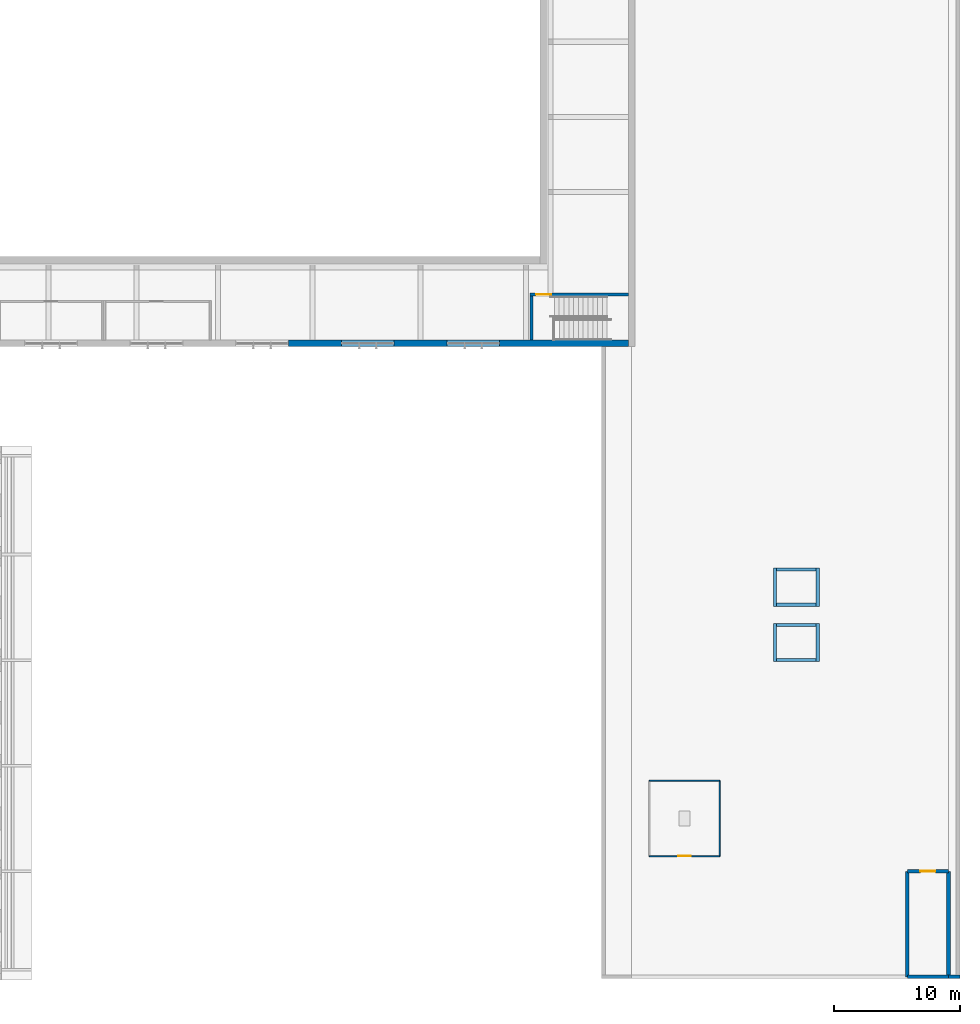
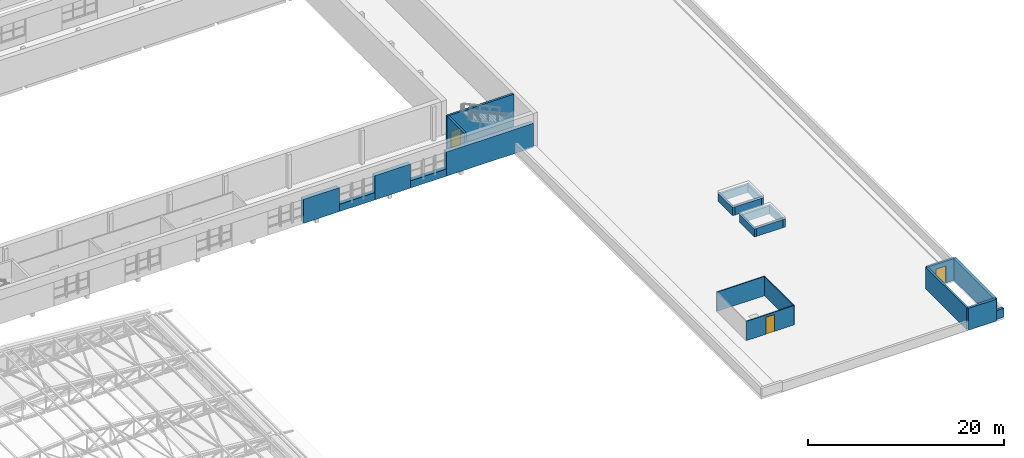
# One storey, part 41 of 60: 23 walls, 3 doors, 3 openings.
"""IFC4 building model written with IfcOpenShell, lengths in metres."""

import ifcopenshell
import ifcopenshell.guid

model = None  # the IFC model being written
_history = None  # IfcOwnerHistory: only IFC2X3 demands one
_inside = {}  # id of a spatial element -> (the spatial element, [elements in it])
_under = {}  # id of a project, library or spatial element -> (it, [spatial elements below it])
_declared = {}  # id of a project -> (the project, [libraries it declares])
_typed = {}  # id of a type object -> (the type object, [elements of that type])
_made_of = {}  # id of a material, layer set ... -> (it, [elements and type objects made of it])


def new_model(schema):
    """Start an empty IFC model of exactly this schema.

    Asked for "IFC4X3", IfcOpenShell would pick the latest addendum, in which some entities
    have other attributes; the version numbers below select the first issue.
    IFC2X3 requires an IfcOwnerHistory on every rooted entity: one is made here for all.
    """
    global model, _history
    if schema == "IFC4X3":
        model = ifcopenshell.file(schema_version=(4, 3, 0, 0))
    else:
        model = ifcopenshell.file(schema=schema)
    _inside.clear()
    _under.clear()
    _declared.clear()
    _typed.clear()
    _made_of.clear()
    _history = None
    if model.schema == "IFC2X3":
        org = make("IfcOrganization", Name="unknown")
        user = make(
            "IfcPersonAndOrganization",
            ThePerson=make("IfcPerson", FamilyName="unknown"),
            TheOrganization=org,
        )
        app = make(
            "IfcApplication",
            ApplicationDeveloper=org,
            Version="unknown",
            ApplicationFullName="unknown",
            ApplicationIdentifier="unknown",
        )
        _history = make(
            "IfcOwnerHistory",
            OwningUser=user,
            OwningApplication=app,
            ChangeAction="ADDED",
            CreationDate=0,
        )
    return model


def make(cls, **values):
    """One entity of the class cls with the attributes given. An attribute that is None is left unset."""
    return model.create_entity(
        cls, **{name: value for name, value in values.items() if value is not None}
    )


def rooted(cls, **values):
    """An entity with a GlobalId (a new one), such as an element, a storey or a relation."""
    return make(cls, GlobalId=ifcopenshell.guid.new(), OwnerHistory=_history, **values)


def si_unit(unit_type, name, prefix=None):
    """IfcSIUnit, for example si_unit("LENGTHUNIT", "METRE", prefix="MILLI")."""
    return make("IfcSIUnit", UnitType=unit_type, Prefix=prefix, Name=name)


def assignment(units):
    """IfcUnitAssignment: the units of a project."""
    return None if units is None else make("IfcUnitAssignment", Units=units)


def point(xyz):
    """IfcCartesianPoint."""
    return None if xyz is None else make("IfcCartesianPoint", Coordinates=xyz)


def direction(xyz):
    """IfcDirection."""
    return None if xyz is None else make("IfcDirection", DirectionRatios=xyz)


def frame(location, z_axis=None, x_axis=None):
    """IfcAxis2Placement3D, a coordinate frame: its origin and axes. An axis left out is left unset."""
    return make(
        "IfcAxis2Placement3D",
        Location=point(location),
        Axis=direction(z_axis),
        RefDirection=direction(x_axis),
    )


def frame_2d(location, x_axis=None):
    """IfcAxis2Placement2D, a coordinate frame in the plane: its origin and x axis."""
    return make(
        "IfcAxis2Placement2D", Location=point(location), RefDirection=direction(x_axis)
    )


def origin():
    """The frame at (0, 0, 0) with its axes left unset."""
    return frame((0.0, 0.0, 0.0))


def place(relative_to, where):
    """IfcLocalPlacement: puts the frame where relative to a parent placement (None: the world)."""
    return make(
        "IfcLocalPlacement", PlacementRelTo=relative_to, RelativePlacement=where
    )


def context(
    kind, dimensions, precision=None, world=None, true_north=None, identifier=None
):
    """IfcGeometricRepresentationContext, for example the 3D "Model" context."""
    return make(
        "IfcGeometricRepresentationContext",
        ContextIdentifier=identifier,
        ContextType=kind,
        CoordinateSpaceDimension=dimensions,
        Precision=precision,
        WorldCoordinateSystem=world,
        TrueNorth=true_north,
    )


def subcontext(parent, identifier, kind, view, scale=None):
    """IfcGeometricRepresentationSubContext, for example "Body" below "Model"."""
    return make(
        "IfcGeometricRepresentationSubContext",
        ContextIdentifier=identifier,
        ContextType=kind,
        ParentContext=parent,
        TargetScale=scale,
        TargetView=view,
    )


def project(units=None, contexts=None):
    """IfcProject with its units and contexts."""
    return rooted(
        "IfcProject",
        Name="project",
        RepresentationContexts=contexts,
        UnitsInContext=assignment(units),
    )


def spatial(cls, under=None, at=None, **own):
    """A site, building, storey or space (cls), placed at a placement, below another one or the project."""
    s = rooted(cls, ObjectPlacement=at, **own)
    if under is not None:
        _under.setdefault(under.id(), (under, []))[1].append(s)
    return s


def profile(cls, at=None, kind="AREA", **sizes):
    """A parametric profile (cls). Its sizes go by their IFC names, for example OverallWidth=200.0."""
    return make(cls, ProfileType=kind, Position=at, **sizes)


def rectangle(**sizes):
    """IfcRectangleProfileDef."""
    return profile("IfcRectangleProfileDef", **sizes)


def extrude(swept, where, along, depth):
    """IfcExtrudedAreaSolid: the profile swept, set in the frame where, extruded along a direction by depth."""
    return make(
        "IfcExtrudedAreaSolid",
        SweptArea=swept,
        Position=where,
        ExtrudedDirection=direction(along),
        Depth=depth,
    )


def shape(context_of_items, identifier, shape_type, items):
    """IfcShapeRepresentation: the items that make up one representation, for example the "Body"."""
    return make(
        "IfcShapeRepresentation",
        ContextOfItems=context_of_items,
        RepresentationIdentifier=identifier,
        RepresentationType=shape_type,
        Items=items,
    )


def material(Name=None, Category=None):
    """IfcMaterial."""
    return make("IfcMaterial", Name=Name, Category=Category)


def layer(
    of_material, thickness, ventilated=None, Name=None, Category=None, Priority=None
):
    """IfcMaterialLayer: one layer of a wall or slab, of a material (None: an air gap)."""
    return make(
        "IfcMaterialLayer",
        Material=of_material,
        LayerThickness=thickness,
        IsVentilated=ventilated,
        Name=Name,
        Category=Category,
        Priority=Priority,
    )


def layer_set(layers, Name=None):
    """IfcMaterialLayerSet."""
    return make("IfcMaterialLayerSet", MaterialLayers=layers, LayerSetName=Name)


def made_of(thing, what):
    """Note that an element or type object is made of a material, layer set ...; save() writes the relation."""
    if what is not None:
        _made_of.setdefault(what.id(), (what, []))[1].append(thing)
    return thing


def type_object(cls, material=None, **own):
    """A type object (cls), such as IfcWallType, which elements share."""
    return made_of(rooted(cls, **own), material)


def element(
    cls,
    number,
    at=None,
    inside=None,
    cuts=None,
    type_object=None,
    material=None,
    context=None,
    identifier="Body",
    shape_type=None,
    held_by="IfcProductDefinitionShape",
    body=None,
    shapes=None,
    **own,
):
    """One element of the class cls, such as IfcWall. Its Tag is "e" and its number.

    at: its placement. inside: the storey or other place that contains it. cuts: it is an
    opening in that element (IfcRelVoidsElement). A single representation is given by context,
    identifier, shape_type and body (its items); several are given by shapes. held_by: the class
    of the entity that holds the representations. save() writes the other relations.
    """
    e = rooted(cls, Tag="e%d" % number, ObjectPlacement=at, **own)
    if body is not None:
        shapes = [shape(context, identifier, shape_type, body)]
    if shapes is not None:
        e.Representation = make(held_by, Representations=shapes)
    if inside is not None:
        _inside.setdefault(inside.id(), (inside, []))[1].append(e)
    if cuts is not None:
        rooted(
            "IfcRelVoidsElement", RelatingBuildingElement=cuts, RelatedOpeningElement=e
        )
    if type_object is not None:
        _typed.setdefault(type_object.id(), (type_object, []))[1].append(e)
    return made_of(e, material)


def fill(opening, filler):
    """IfcRelFillsElement: the door or window that sits in an opening."""
    return rooted(
        "IfcRelFillsElement",
        RelatingOpeningElement=opening,
        RelatedBuildingElement=filler,
    )


def aggregate(whole, parts):
    """IfcRelAggregates: a whole, such as a stair, and the parts it consists of."""
    return rooted("IfcRelAggregates", RelatingObject=whole, RelatedObjects=parts)


def save(model, path):
    """Write the relations noted so far, then the file.

    IfcRelAggregates (storeys below a building ...), IfcRelContainedInSpatialStructure (elements
    in a storey), IfcRelDefinesByType, IfcRelAssociatesMaterial and IfcRelDeclares: one each for
    every whole, place, type object, material and project.
    """
    for whole, parts in _under.values():
        aggregate(whole, parts)
    for where, things in _inside.values():
        rooted(
            "IfcRelContainedInSpatialStructure",
            RelatedElements=things,
            RelatingStructure=where,
        )
    for kind, things in _typed.values():
        rooted("IfcRelDefinesByType", RelatedObjects=things, RelatingType=kind)
    for what, things in _made_of.values():
        rooted("IfcRelAssociatesMaterial", RelatedObjects=things, RelatingMaterial=what)
    for by, libraries in _declared.values():
        rooted("IfcRelDeclares", RelatingContext=by, RelatedDefinitions=libraries)
    model.write(path)


model = new_model("IFC4")

# Units and contexts
model_context = context("Model", 3, precision=1e-05, world=origin(), true_north=direction((0.0, 1.0)))
body_context = subcontext(model_context, "Body", "Model", "MODEL_VIEW")
ifc_project = project(units=[si_unit("LENGTHUNIT", "METRE"), si_unit("AREAUNIT", "SQUARE_METRE"), si_unit("VOLUMEUNIT", "CUBIC_METRE"), si_unit("PLANEANGLEUNIT", "RADIAN"), si_unit("MASSUNIT", "GRAM", prefix="KILO")], contexts=[model_context])

# Site, building, storey
site_placement = place(None, origin())
site = spatial("IfcSite", under=ifc_project, at=site_placement, CompositionType="ELEMENT")
building_placement = place(site_placement, origin())
building = spatial("IfcBuilding", under=site, at=building_placement, Name="Ljudholm Concert House", CompositionType="ELEMENT")
storey_placement = place(building_placement, frame((0.0, 0.0, 15.0)))
storey = spatial("IfcBuildingStorey", under=building, at=storey_placement, Name="L03", CompositionType="ELEMENT", Elevation=15.0)

# Wall
ifc_material_1 = material(Name="Precast concrete 5,000 psi", Category="concrete")
ifc_layer_1 = layer(ifc_material_1, 0.300048828125)
ifc_layer_set_1 = layer_set([ifc_layer_1], Name="Precast concrete 5,000 psi")
wall_type_1 = type_object("IfcWallType", Name="PARAPET 300", PredefinedType="PARAPET", material=ifc_layer_set_1)
wall_1_placement = place(storey_placement, frame((121.60009765625, 4.0, 0.169921875), z_axis=(0.0, 0.0, 1.0), x_axis=(1.0, 0.0, 0.0)))
element("IfcWall", 1, at=wall_1_placement, inside=storey, type_object=wall_type_1, Name="Parapet", PredefinedType="PARAPET", context=body_context, shape_type="SweptSolid", body=[
    extrude(rectangle(XDim=0.89990234375, YDim=0.300048828125, at=frame_2d((0.449951171875, 0.0))), origin(), (0.0, 0.0, 1.0), 1.10009765625),
])

# Wall, opening, door
ifc_material_2 = material(Name="Concrete 6,500 psi", Category="concrete")
ifc_layer_2 = layer(ifc_material_2, 0.25)
ifc_layer_set_2 = layer_set([ifc_layer_2], Name="Concrete 6,500 psi")
wall_type_2 = type_object("IfcWallType", Name="RC CORE WALL 250 EXTERNAL", PredefinedType="SHEAR", material=ifc_layer_set_2)
wall_2_placement = place(storey_placement, frame((118.324951171875, 12.39990234375, 0.0), z_axis=(0.0, 0.0, 1.0), x_axis=(1.0, 0.0, 0.0)))
wall_2 = element("IfcWall", 2, at=wall_2_placement, inside=storey, type_object=wall_type_2, Name="Stair head-house wall", PredefinedType="SHEAR", context=body_context, shape_type="SweptSolid", body=[
    extrude(rectangle(XDim=3.275146484375, YDim=0.25, at=frame_2d((1.6376953125, 0.0))), origin(), (0.0, 0.0, 1.0), 2.699951171875),
])
opening_1_placement = place(wall_2_placement, frame((1.03759765625, 0.0, 0.0)))
opening_1 = element("IfcOpeningElement", 3, at=opening_1_placement, cuts=wall_2, Name="Opening D-W03-001", PredefinedType="OPENING", context=body_context, shape_type="SweptSolid", body=[
    extrude(rectangle(XDim=1.199951171875, YDim=2.10009765625, at=frame_2d((0.60009765625, 1.050048828125))), frame((0.0, 0.135009765625, 0.0), z_axis=(0.0, -1.0, 0.0), x_axis=(1.0, 0.0, 0.0)), (0.0, 0.0, 1.0), 0.27001953125),
])
ifc_material_3 = material(Name="Hollow metal door in steel frame", Category="steel")
door_type_1 = type_object("IfcDoorType", Name="SWING DOOR 1200x2100 EXTERNAL", OperationType="SINGLE_SWING_LEFT", PredefinedType="DOOR", material=ifc_material_3)
door_1_placement = place(opening_1_placement, origin())
door_1 = element("IfcDoor", 4, at=door_1_placement, inside=storey, type_object=door_type_1, Name="Stair roof door", OperationType="SINGLE_SWING_RIGHT", OverallHeight=2.10009765625, OverallWidth=1.199951171875, PredefinedType="DOOR", context=body_context, shape_type="SweptSolid", body=[
    extrude(rectangle(XDim=1.199951171875, YDim=2.10009765625, at=frame_2d((0.60009765625, 1.050048828125))), frame((0.0, 0.02490234375, 0.0), z_axis=(0.0, -1.0, 0.0), x_axis=(1.0, 0.0, 0.0)), (0.0, 0.0, 1.0), 0.050048828125),
])
fill(opening_1, door_1)

# Walls
wall_3_placement = place(storey_placement, frame((118.324951171875, 4.0, 0.0), z_axis=(0.0, 0.0, 1.0), x_axis=(0.0, 1.0, 0.0)))
element("IfcWall", 5, at=wall_3_placement, inside=storey, type_object=wall_type_2, Name="Stair head-house wall", PredefinedType="SHEAR", context=body_context, shape_type="SweptSolid", body=[
    extrude(rectangle(XDim=8.39990234375, YDim=0.25, at=frame_2d((4.199951171875, 0.0))), origin(), (0.0, 0.0, 1.0), 2.699951171875),
])
ifc_material_4 = material(Name="Concrete 6,500 psi", Category="concrete")
ifc_layer_3 = layer(ifc_material_4, 0.300048828125)
ifc_layer_set_3 = layer_set([ifc_layer_3], Name="Concrete 6,500 psi")
wall_type_3 = type_object("IfcWallType", Name="RC CORE WALL 300", PredefinedType="SHEAR", material=ifc_layer_set_3)
wall_4_placement = place(storey_placement, frame((118.324951171875, 4.0, 0.0), z_axis=(0.0, 0.0, 1.0), x_axis=(1.0, 0.0, 0.0)))
element("IfcWall", 6, at=wall_4_placement, inside=storey, type_object=wall_type_3, Name="Stair head-house wall", PredefinedType="SHEAR", context=body_context, shape_type="SweptSolid", body=[
    extrude(rectangle(XDim=3.275146484375, YDim=0.300048828125, at=frame_2d((1.6376953125, 0.0))), origin(), (0.0, 0.0, 1.0), 2.699951171875),
])
wall_5_placement = place(storey_placement, frame((121.60009765625, 4.0, 0.0), z_axis=(0.0, 0.0, 1.0), x_axis=(0.0, 1.0, 0.0)))
element("IfcWall", 7, at=wall_5_placement, inside=storey, type_object=wall_type_3, Name="Stair head-house wall", PredefinedType="SHEAR", context=body_context, shape_type="SweptSolid", body=[
    extrude(rectangle(XDim=8.39990234375, YDim=0.300048828125, at=frame_2d((4.199951171875, 0.0))), origin(), (0.0, 0.0, 1.0), 2.699951171875),
])

# Wall, opening, door
ifc_material_5 = material(Name="Concrete 6,500 psi", Category="concrete")
ifc_layer_4 = layer(ifc_material_5, 0.25)
ifc_layer_set_4 = layer_set([ifc_layer_4], Name="Concrete 6,500 psi")
wall_type_4 = type_object("IfcWallType", Name="RC WALL 250", PredefinedType="SOLIDWALL", material=ifc_layer_set_4)
wall_6_placement = place(storey_placement, frame((88.300048828125, 58.27490234375, 0.0), z_axis=(0.0, 0.0, 1.0), x_axis=(1.0, 0.0, 0.0)))
wall_6 = element("IfcWall", 8, at=wall_6_placement, inside=storey, type_object=wall_type_4, Name="Stair enclosure wall EH3", PredefinedType="SOLIDWALL", context=body_context, shape_type="SweptSolid", body=[
    extrude(rectangle(XDim=7.849853515625, YDim=0.25, at=frame_2d((3.9248046875, 0.0))), origin(), (0.0, 0.0, 1.0), 4.199951171875),
])
opening_2_placement = place(wall_6_placement, frame((0.5, 0.0, 0.0)))
opening_2 = element("IfcOpeningElement", 9, at=opening_2_placement, cuts=wall_6, Name="Opening D-H03-009", PredefinedType="OPENING", context=body_context, shape_type="SweptSolid", body=[
    extrude(rectangle(XDim=1.199951171875, YDim=2.10009765625, at=frame_2d((0.60009765625, 1.050048828125))), frame((0.0, 0.135009765625, 0.0), z_axis=(0.0, -1.0, 0.0), x_axis=(1.0, 0.0, 0.0)), (0.0, 0.0, 1.0), 0.27001953125),
])
ifc_material_6 = material(Name="Hollow metal door in steel frame", Category="steel")
door_type_2 = type_object("IfcDoorType", Name="SWING DOOR 1200x2100", OperationType="SINGLE_SWING_LEFT", PredefinedType="DOOR", material=ifc_material_6)
door_2_placement = place(opening_2_placement, frame((1.199951171875, 0.0, 0.0), z_axis=(0.0, 0.0, 1.0), x_axis=(-1.0, 0.0, 0.0)))
door_2 = element("IfcDoor", 10, at=door_2_placement, inside=storey, type_object=door_type_2, Name="Exit stair EH3 door", OperationType="SINGLE_SWING_RIGHT", OverallHeight=2.10009765625, OverallWidth=1.199951171875, PredefinedType="DOOR", context=body_context, shape_type="SweptSolid", body=[
    extrude(rectangle(XDim=1.199951171875, YDim=2.10009765625, at=frame_2d((0.60009765625, 1.050048828125))), frame((0.0, 0.02490234375, 0.0), z_axis=(0.0, -1.0, 0.0), x_axis=(1.0, 0.0, 0.0)), (0.0, 0.0, 1.0), 0.050048828125),
])
fill(opening_2, door_2)

# Walls
wall_7_placement = place(storey_placement, frame((88.425048828125, 54.64990234375, 0.0), z_axis=(0.0, 0.0, 1.0), x_axis=(0.0, 1.0, 0.0)))
element("IfcWall", 11, at=wall_7_placement, inside=storey, type_object=wall_type_4, Name="Stair enclosure wall EH3", PredefinedType="SOLIDWALL", context=body_context, shape_type="SweptSolid", body=[
    extrude(rectangle(XDim=3.5, YDim=0.25, at=frame_2d((1.75, 0.0))), origin(), (0.0, 0.0, 1.0), 4.199951171875),
])
for number, where, z_axis, x_axis, name in (
    (12, (107.800048828125, 29.074951171875, 0.0), (0.0, 0.0, 1.0), (0.0, 1.0, 0.0), "Lift shaft wall"),
    (13, (111.199951171875, 29.074951171875, 0.0), (0.0, 0.0, 1.0), (0.0, 1.0, 0.0), "Lift shaft wall"),
):
    element("IfcWall", number, at=place(storey_placement, frame(where, z_axis=z_axis, x_axis=x_axis)), inside=storey, type_object=wall_type_4, Name=name, PredefinedType="SOLIDWALL", context=body_context, shape_type="SweptSolid", body=[
        extrude(rectangle(XDim=3.050048828125, YDim=0.25, at=frame_2d((1.52490234375, 0.0))), origin(), (0.0, 0.0, 1.0), 1.0),
    ])
for number, where, z_axis, x_axis, name in (
    (14, (107.925048828125, 29.199951171875, 0.0), (0.0, 0.0, 1.0), (1.0, 0.0, 0.0), "Lift shaft wall"),
    (15, (107.925048828125, 32.0, 0.0), (0.0, 0.0, 1.0), (1.0, 0.0, 0.0), "Lift shaft wall"),
):
    element("IfcWall", number, at=place(storey_placement, frame(where, z_axis=z_axis, x_axis=x_axis)), inside=storey, type_object=wall_type_4, Name=name, PredefinedType="SOLIDWALL", context=body_context, shape_type="SweptSolid", body=[
        extrude(rectangle(XDim=3.14990234375, YDim=0.25, at=frame_2d((1.574951171875, 0.0))), origin(), (0.0, 0.0, 1.0), 1.0),
    ])
for number, where, z_axis, x_axis, name in (
    (16, (107.800048828125, 33.47509765625, 0.0), (0.0, 0.0, 1.0), (0.0, 1.0, 0.0), "Lift shaft wall"),
    (17, (111.199951171875, 33.47509765625, 0.0), (0.0, 0.0, 1.0), (0.0, 1.0, 0.0), "Lift shaft wall"),
):
    element("IfcWall", number, at=place(storey_placement, frame(where, z_axis=z_axis, x_axis=x_axis)), inside=storey, type_object=wall_type_4, Name=name, PredefinedType="SOLIDWALL", context=body_context, shape_type="SweptSolid", body=[
        extrude(rectangle(XDim=3.0498046875, YDim=0.25, at=frame_2d((1.52490234375, 0.0))), origin(), (0.0, 0.0, 1.0), 1.0),
    ])
for number, where, z_axis, x_axis, name in (
    (18, (107.925048828125, 33.60009765625, 0.0), (0.0, 0.0, 1.0), (1.0, 0.0, 0.0), "Lift shaft wall"),
    (19, (107.925048828125, 36.39990234375, 0.0), (0.0, 0.0, 1.0), (1.0, 0.0, 0.0), "Lift shaft wall"),
):
    element("IfcWall", number, at=place(storey_placement, frame(where, z_axis=z_axis, x_axis=x_axis)), inside=storey, type_object=wall_type_4, Name=name, PredefinedType="SOLIDWALL", context=body_context, shape_type="SweptSolid", body=[
        extrude(rectangle(XDim=3.14990234375, YDim=0.25, at=frame_2d((1.574951171875, 0.0))), origin(), (0.0, 0.0, 1.0), 1.0),
    ])
ifc_material_7 = material(Name="Concrete 6,500 psi", Category="concrete")
ifc_layer_5 = layer(ifc_material_7, 0.5)
ifc_layer_set_5 = layer_set([ifc_layer_5], Name="Concrete 6,500 psi")
wall_type_5 = type_object("IfcWallType", Name="RC WALL 500", PredefinedType="SOLIDWALL", material=ifc_layer_set_5)
for number, where, z_axis, x_axis, name in (
    (20, (69.10009765625, 54.39990234375, 0.0), (0.0, 0.0, 1.0), (1.0, 0.0, 0.0), "Outer wall S"),
    (21, (77.5, 54.39990234375, 0.0), (0.0, 0.0, 1.0), (1.0, 0.0, 0.0), "Outer wall S"),
):
    element("IfcWall", number, at=place(storey_placement, frame(where, z_axis=z_axis, x_axis=x_axis)), inside=storey, type_object=wall_type_5, Name=name, PredefinedType="SOLIDWALL", context=body_context, shape_type="SweptSolid", body=[
        extrude(rectangle(XDim=4.199951171875, YDim=0.5, at=frame_2d((2.10009765625, 0.0))), origin(), (0.0, 0.0, 1.0), 3.0),
    ])
wall_8_placement = place(storey_placement, frame((85.89990234375, 54.39990234375, 0.0), z_axis=(0.0, 0.0, 1.0), x_axis=(1.0, 0.0, 0.0)))
element("IfcWall", 22, at=wall_8_placement, inside=storey, type_object=wall_type_5, Name="Outer wall S", PredefinedType="SOLIDWALL", context=body_context, shape_type="SweptSolid", body=[
    extrude(rectangle(XDim=10.25, YDim=0.5, at=frame_2d((5.125, 0.0))), origin(), (0.0, 0.0, 1.0), 3.0),
])
for number, where, z_axis, x_axis, name in (
    (23, (73.300048828125, 54.39990234375, 0.0), (0.0, 0.0, 1.0), (1.0, 0.0, 0.0), "Outer wall S"),
    (24, (81.699951171875, 54.39990234375, 0.0), (0.0, 0.0, 1.0), (1.0, 0.0, 0.0), "Outer wall S"),
):
    element("IfcWall", number, at=place(storey_placement, frame(where, z_axis=z_axis, x_axis=x_axis)), inside=storey, type_object=wall_type_5, Name=name, PredefinedType="SOLIDWALL", context=body_context, shape_type="SweptSolid", body=[
        extrude(rectangle(XDim=4.199951171875, YDim=0.5, at=frame_2d((2.10009765625, 0.0))), origin(), (0.0, 0.0, 1.0), 0.89990234375),
    ])

# Wall, opening, door
ifc_material_8 = material(Name="Aluminium cladding with timber-grain PVDF finish", Category="aluminium")
ifc_layer_6 = layer(ifc_material_8, 0.10009765625)
ifc_layer_set_6 = layer_set([ifc_layer_6], Name="Aluminium cladding with timber-grain PVDF finish")
wall_type_6 = type_object("IfcWallType", Name="TIMBER-GRAIN ALUMINIUM CLAD WALL 100", PredefinedType="SOLIDWALL", material=ifc_layer_set_6)
wall_9_placement = place(storey_placement, frame((97.800048828125, 13.60009765625, 0.0), z_axis=(0.0, 0.0, 1.0), x_axis=(1.0, 0.0, 0.0)))
wall_9 = element("IfcWall", 25, at=wall_9_placement, inside=storey, type_object=wall_type_6, Name="Plant screen", PredefinedType="SOLIDWALL", context=body_context, shape_type="SweptSolid", body=[
    extrude(rectangle(XDim=5.599853515625, YDim=0.10009765625, at=frame_2d((2.7998046875, 0.0))), origin(), (0.0, 0.0, 1.0), 2.39990234375),
])
opening_3_placement = place(wall_9_placement, frame((2.300048828125, 0.0, 0.0)))
opening_3 = element("IfcOpeningElement", 26, at=opening_3_placement, cuts=wall_9, Name="Opening D-W03-002", PredefinedType="OPENING", context=body_context, shape_type="SweptSolid", body=[
    extrude(rectangle(XDim=1.0, YDim=2.10009765625, at=frame_2d((0.5, 1.050048828125))), frame((0.0, 0.06005859375, 0.0), z_axis=(0.0, -1.0, 0.0), x_axis=(1.0, 0.0, 0.0)), (0.0, 0.0, 1.0), 0.1201171875),
])
ifc_material_9 = material(Name="Hollow metal door in steel frame", Category="steel")
door_type_3 = type_object("IfcDoorType", Name="SWING DOOR 1000x2100 EXTERNAL", OperationType="SINGLE_SWING_LEFT", PredefinedType="DOOR", material=ifc_material_9)
door_3_placement = place(opening_3_placement, frame((1.0, 0.0, 0.0), z_axis=(0.0, 0.0, 1.0), x_axis=(-1.0, 0.0, 0.0)))
door_3 = element("IfcDoor", 27, at=door_3_placement, inside=storey, type_object=door_type_3, Name="Plant screen door", OperationType="SINGLE_SWING_LEFT", OverallHeight=2.10009765625, OverallWidth=1.0, PredefinedType="DOOR", context=body_context, shape_type="SweptSolid", body=[
    extrude(rectangle(XDim=1.0, YDim=2.10009765625, at=frame_2d((0.5, 1.050048828125))), frame((0.0, 0.02490234375, 0.0), z_axis=(0.0, -1.0, 0.0), x_axis=(1.0, 0.0, 0.0)), (0.0, 0.0, 1.0), 0.050048828125),
])
fill(opening_3, door_3)

# Walls
wall_10_placement = place(storey_placement, frame((97.800048828125, 19.60009765625, 0.0), z_axis=(0.0, 0.0, 1.0), x_axis=(1.0, 0.0, 0.0)))
element("IfcWall", 28, at=wall_10_placement, inside=storey, type_object=wall_type_6, Name="Plant screen", PredefinedType="SOLIDWALL", context=body_context, shape_type="SweptSolid", body=[
    extrude(rectangle(XDim=5.599853515625, YDim=0.10009765625, at=frame_2d((2.7998046875, 0.0))), origin(), (0.0, 0.0, 1.0), 2.39990234375),
])
wall_11_placement = place(storey_placement, frame((103.39990234375, 13.60009765625, 0.0), z_axis=(0.0, 0.0, 1.0), x_axis=(0.0, 1.0, 0.0)))
element("IfcWall", 29, at=wall_11_placement, inside=storey, type_object=wall_type_6, Name="Plant screen", PredefinedType="SOLIDWALL", context=body_context, shape_type="SweptSolid", body=[
    extrude(rectangle(XDim=6.0, YDim=0.10009765625, at=frame_2d((3.0, 0.0))), origin(), (0.0, 0.0, 1.0), 2.39990234375),
])

save(model, "model.ifc")
